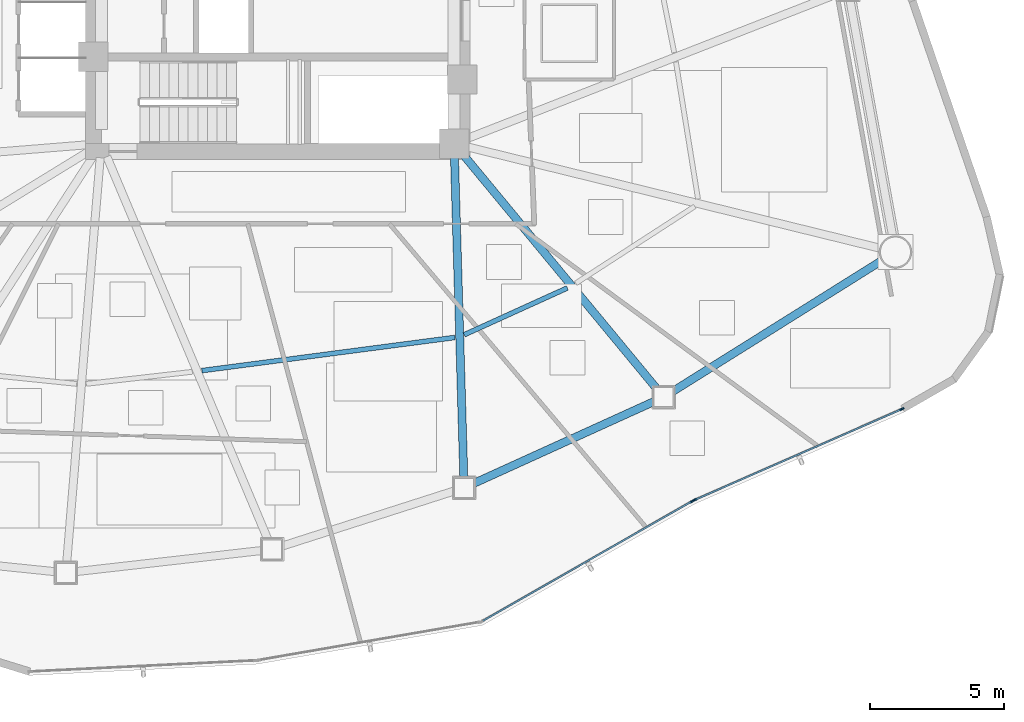
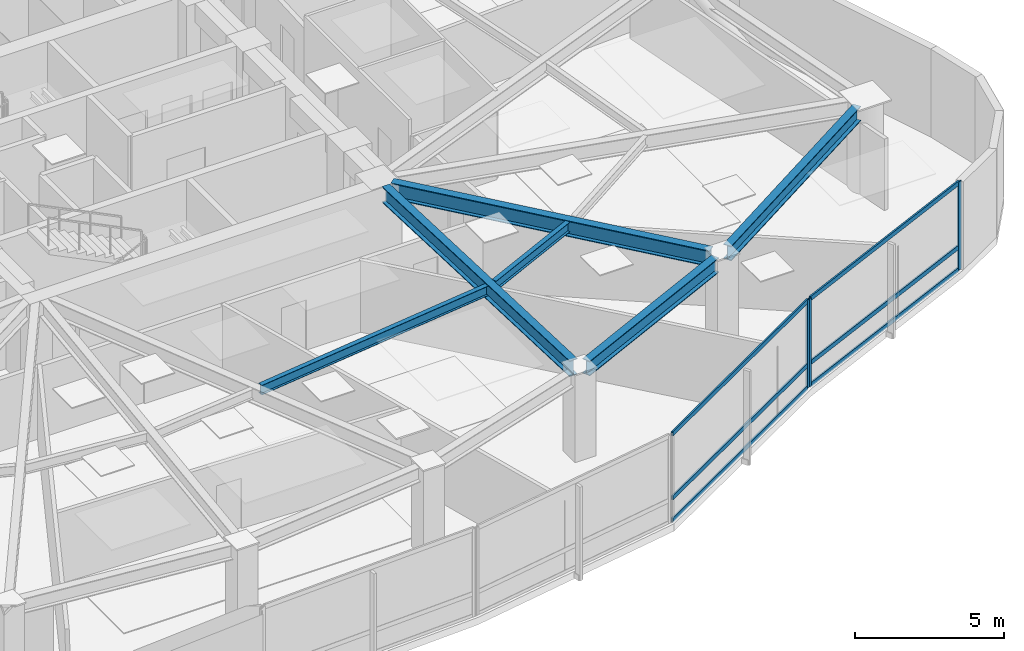
# One storey, part 6 of 18: 9 members, 6 beams, 2 elements without a shape of their own.
"""IFC4 building model written with IfcOpenShell, lengths in metres."""

from ifc_helpers import new_model, si_unit, direction, frame, origin, origin_2d, place, context, subcontext, project, spatial, hollow_rectangle, i_section, extrude, source, transform, mapped, material, layer, layer_set, material_profile, profile_set, type_object, type_shapes, element, aggregate, save


model = new_model("IFC4")

# Units and contexts
model_context = context("Model", 3, precision=1e-05, world=origin(), true_north=direction((0.0, 1.0)))
body_context = subcontext(model_context, "Body", "Model", "MODEL_VIEW")
ifc_project = project(units=[si_unit("LENGTHUNIT", "METRE"), si_unit("AREAUNIT", "SQUARE_METRE"), si_unit("VOLUMEUNIT", "CUBIC_METRE"), si_unit("PLANEANGLEUNIT", "RADIAN"), si_unit("MASSUNIT", "GRAM", prefix="KILO")], contexts=[model_context])

# Site, building, storey
site_placement = place(None, origin())
site = spatial("IfcSite", under=ifc_project, at=site_placement, CompositionType="ELEMENT")
building_placement = place(site_placement, origin())
building = spatial("IfcBuilding", under=site, at=building_placement, Name="Tavelor Broadcast Tower", CompositionType="ELEMENT")
storey_placement = place(building_placement, frame((0.0, 0.0, 51.0)))
storey = spatial("IfcBuildingStorey", under=building, at=storey_placement, Name="L11", CompositionType="ELEMENT", Elevation=51.0)

# Beams
ifc_material_1 = material(Name="Steel S355", Category="steel")
ifc_material_profile_1 = material_profile(ifc_material_1, i_section(OverallWidth=0.179931640625, OverallDepth=0.39990234375, WebThickness=0.008544921875, FlangeThickness=0.013427734375, at=origin_2d()), Name="IPE 400")
ifc_profile_set_1 = profile_set([ifc_material_profile_1], Name="Steel S355")
beam_type_1 = type_object("IfcBeamType", Name="Composite Floor Joist T1 IPE 400", PredefinedType="JOIST", material=ifc_profile_set_1)
beam_1_placement = place(storey_placement, frame((47.16259765625, 30.3056640625, 3.39990234375), z_axis=(0.991514230948, 0.129998191635, 0.0), x_axis=(-0.129998191635, 0.991514230948, 0.0)))
element("IfcBeam", 1, at=beam_1_placement, inside=storey, type_object=beam_type_1, Name="L11 Secondary Composite Floor Joist 10", PredefinedType="JOIST", context=body_context, shape_type="SweptSolid", body=[
    extrude(i_section(OverallWidth=0.179931640625, OverallDepth=0.39990234375, WebThickness=0.008544921875, FlangeThickness=0.013427734375, at=origin_2d()), origin(), (0.0, 0.0, 1.0), 9.5498046875),
])
beam_2_placement = place(storey_placement, frame((56.9755859375, 31.6455078125, 3.39990234375), z_axis=(0.910480737696, 0.413551479607, 0.0), x_axis=(-0.413551479607, 0.910480737696, 0.0)))
element("IfcBeam", 2, at=beam_2_placement, inside=storey, type_object=beam_type_1, Name="L11 Secondary Composite Floor Joist 11", PredefinedType="JOIST", context=body_context, shape_type="SweptSolid", body=[
    extrude(i_section(OverallWidth=0.179931640625, OverallDepth=0.39990234375, WebThickness=0.008544921875, FlangeThickness=0.013427734375, at=origin_2d()), origin(), (0.0, 0.0, 1.0), 4.242919921875),
])
ifc_material_profile_2 = material_profile(ifc_material_1, i_section(OverallWidth=0.300048828125, OverallDepth=0.60009765625, WebThickness=0.015380859375, FlangeThickness=0.030029296875, at=origin_2d()), Name="HEB 600")
ifc_profile_set_2 = profile_set([ifc_material_profile_2], Name="Steel S355")
beam_type_2 = type_object("IfcBeamType", Name="Perimeter Spandrel Beam T1 HEB 600", PredefinedType="SPANDREL", material=ifc_profile_set_2)
beam_3_placement = place(storey_placement, frame((57.324951171875, 26.080322265625, 3.300048828125), z_axis=(0.910424944341, 0.413674293039, 0.0), x_axis=(-0.413674293039, 0.910424944341, 0.0)))
element("IfcBeam", 3, at=beam_3_placement, inside=storey, type_object=beam_type_2, Name="L11 Framed-Tube Ring Spandrel 11", PredefinedType="SPANDREL", context=body_context, shape_type="SweptSolid", body=[
    extrude(i_section(OverallWidth=0.300048828125, OverallDepth=0.60009765625, WebThickness=0.015380859375, FlangeThickness=0.030029296875, at=origin_2d()), origin(), (0.0, 0.0, 1.0), 7.43505859375),
])
beam_4_placement = place(storey_placement, frame((64.76904296875, 29.518798828125, 3.300048828125), z_axis=(0.847667977469, 0.530527096361, 0.0), x_axis=(-0.530527096361, 0.847667977469, 0.0)))
element("IfcBeam", 4, at=beam_4_placement, inside=storey, type_object=beam_type_2, Name="L11 Framed-Tube Ring Spandrel 12", PredefinedType="SPANDREL", context=body_context, shape_type="SweptSolid", body=[
    extrude(i_section(OverallWidth=0.300048828125, OverallDepth=0.60009765625, WebThickness=0.015380859375, FlangeThickness=0.030029296875, at=origin_2d()), origin(), (0.0, 0.0, 1.0), 9.263916015625),
])
ifc_material_profile_3 = material_profile(ifc_material_1, i_section(OverallWidth=0.300048828125, OverallDepth=0.64990234375, WebThickness=0.01611328125, FlangeThickness=0.031005859375, at=origin_2d()), Name="HEB 650")
ifc_profile_set_3 = profile_set([ifc_material_profile_3], Name="Steel S355")
beam_type_3 = type_object("IfcBeamType", Name="Radial Floor Girder T1 HEB 650", PredefinedType="BEAM", material=ifc_profile_set_3)
beam_5_placement = place(storey_placement, frame((56.615478515625, 38.272216796875, 3.27490234375), z_axis=(0.02912098859, -0.999575894079, 0.0), x_axis=(0.999575894079, 0.02912098859, 0.0)))
element("IfcBeam", 5, at=beam_5_placement, inside=storey, type_object=beam_type_3, Name="L11 Radial Primary Floor Girder 11", PredefinedType="BEAM", context=body_context, shape_type="SweptSolid", body=[
    extrude(i_section(OverallWidth=0.300048828125, OverallDepth=0.64990234375, WebThickness=0.01611328125, FlangeThickness=0.031005859375, at=origin_2d()), origin(), (0.0, 0.0, 1.0), 11.971923828125),
])
beam_6_placement = place(storey_placement, frame((56.9365234375, 38.39306640625, 3.27490234375), z_axis=(0.63726338108, -0.770646081632, 0.0), x_axis=(0.770646081632, 0.63726338108, 0.0)))
element("IfcBeam", 6, at=beam_6_placement, inside=storey, type_object=beam_type_3, Name="L11 Radial Primary Floor Girder 12", PredefinedType="BEAM", context=body_context, shape_type="SweptSolid", body=[
    extrude(i_section(OverallWidth=0.300048828125, OverallDepth=0.64990234375, WebThickness=0.01611328125, FlangeThickness=0.031005859375, at=origin_2d()), origin(), (0.0, 0.0, 1.0), 11.39599609375),
])

# Curtain wall, member
ifc_material_2 = material(Name="Architectural Anodized Aluminium", Category="aluminium")
ifc_layer = layer(ifc_material_2, 0.179931640625)
ifc_layer_set = layer_set([ifc_layer], Name="Architectural Anodized Aluminium")
curtain_wall_type = type_object("IfcCurtainWallType", Name="Tower Low-Zone Unitised Curtain Wall CW02", PredefinedType="NOTDEFINED", material=ifc_layer_set)
curtain_wall_1_placement = place(storey_placement, origin())
curtain_wall_1 = element("IfcCurtainWall", 7, at=curtain_wall_1_placement, inside=storey, type_object=curtain_wall_type, Name="L11 Curtain Wall CW02 Run 91", PredefinedType="NOTDEFINED")
ifc_material_profile_4 = material_profile(ifc_material_2, hollow_rectangle(XDim=0.06494140625, YDim=0.179931640625, WallThickness=0.02197265625, at=origin_2d()), Name="RHS 65x180x22")
ifc_profile_set_4 = profile_set([ifc_material_profile_4], Name="Architectural Anodized Aluminium")
member_type_1 = type_object("IfcMemberType", Name="CW02 Extruded Aluminium Mullion 65x180", PredefinedType="MULLION", material=ifc_profile_set_4)
shared_shape_1 = source(origin(), body_context, "Body", "SweptSolid", [
    extrude(hollow_rectangle(XDim=0.06494140625, YDim=0.179931640625, WallThickness=0.02197265625, at=origin_2d()), origin(), (0.0, 0.0, 1.0), 3.60009765625),
])
type_shapes(member_type_1, [shared_shape_1])
member_1_placement = place(storey_placement, frame((65.515380859375, 25.422119140625, 0.0), z_axis=(0.0, 0.0, 1.0), x_axis=(-0.496179091181, 0.868220196422, 0.0)))
member_1 = element("IfcMember", 8, at=member_1_placement, type_object=member_type_1, Name="CW02 mullion 2", PredefinedType="MULLION", context=body_context, shape_type="MappedRepresentation", body=[
    mapped(shared_shape_1, transform((0.0, 0.0, 0.0), scale=1.0)),
])

# Curtain wall, members
curtain_wall_2_placement = place(storey_placement, origin())
curtain_wall_2 = element("IfcCurtainWall", 9, at=curtain_wall_2_placement, inside=storey, type_object=curtain_wall_type, Name="L11 Curtain Wall CW02 Run 92", PredefinedType="NOTDEFINED")
member_2_placement = place(storey_placement, frame((65.599853515625, 25.46484375, 0.0), z_axis=(0.0, 0.0, 1.0), x_axis=(-0.401566682059, 0.915829787603, 0.0)))
member_2 = element("IfcMember", 10, at=member_2_placement, type_object=member_type_1, Name="CW02 mullion 1", PredefinedType="MULLION", context=body_context, shape_type="MappedRepresentation", body=[
    mapped(shared_shape_1, transform((0.0, 0.0, 0.0), scale=1.0)),
])
member_3_placement = place(storey_placement, frame((73.357421875, 28.8662109375, 0.0), z_axis=(0.0, 0.0, 1.0), x_axis=(-0.401566682059, 0.915829787603, 0.0)))
member_3 = element("IfcMember", 11, at=member_3_placement, type_object=member_type_1, Name="CW02 mullion 2", PredefinedType="MULLION", context=body_context, shape_type="MappedRepresentation", body=[
    mapped(shared_shape_1, transform((0.0, 0.0, 0.0), scale=1.0)),
])

# Member
ifc_material_profile_5 = material_profile(ifc_material_2, hollow_rectangle(XDim=0.06494140625, YDim=0.179931640625, WallThickness=0.02197265625, at=origin_2d()), Name="RHS 65x180x22")
ifc_profile_set_5 = profile_set([ifc_material_profile_5], Name="Architectural Anodized Aluminium")
member_type_2 = type_object("IfcMemberType", Name="CW02 Extruded Aluminium Transom 65x180", PredefinedType="USERDEFINED", material=ifc_profile_set_5)
shared_shape_2 = source(origin(), body_context, "Body", "SweptSolid", [
    extrude(hollow_rectangle(XDim=0.06494140625, YDim=0.179931640625, WallThickness=0.02197265625, at=origin_2d()), origin(), (0.0, 0.0, 1.0), 8.989013671875),
])
member_4_placement = place(storey_placement, frame((57.6826171875, 20.946044921875, 0.032470703125), z_axis=(0.868229770639, 0.496162337724, 0.0), x_axis=(-0.496162337724, 0.868229770639, 0.0)))
member_4 = element("IfcMember", 12, at=member_4_placement, type_object=member_type_2, Name="CW02 transom 1.1", ObjectType="TRANSOM", PredefinedType="USERDEFINED", context=body_context, shape_type="MappedRepresentation", body=[
    mapped(shared_shape_2, transform((0.0, 0.0, 0.0), scale=1.0)),
])

member_5_placement = place(storey_placement, frame((57.6826171875, 20.946044921875, 0.949951171875), z_axis=(0.868229770639, 0.496162337724, 0.0), x_axis=(-0.496162337724, 0.868229770639, 0.0)))
member_5 = element("IfcMember", 13, at=member_5_placement, type_object=member_type_2, Name="CW02 transom 1.2", ObjectType="TRANSOM", PredefinedType="USERDEFINED", context=body_context, shape_type="MappedRepresentation", body=[
    mapped(shared_shape_2, transform((0.0, 0.0, 0.0), scale=1.0)),
])

member_6_placement = place(storey_placement, frame((57.6826171875, 20.946044921875, 3.5673828125), z_axis=(0.868229770639, 0.496162337724, 0.0), x_axis=(-0.496162337724, 0.868229770639, 0.0)))
member_6 = element("IfcMember", 14, at=member_6_placement, type_object=member_type_2, Name="CW02 transom 1.3", ObjectType="TRANSOM", PredefinedType="USERDEFINED", context=body_context, shape_type="MappedRepresentation", body=[
    mapped(shared_shape_2, transform((0.0, 0.0, 0.0), scale=1.0)),
])

aggregate(curtain_wall_1, [member_1, member_4, member_5, member_6])

shared_shape_3 = source(origin(), body_context, "Body", "SweptSolid", [
    extrude(hollow_rectangle(XDim=0.06494140625, YDim=0.179931640625, WallThickness=0.02197265625, at=origin_2d()), origin(), (0.0, 0.0, 1.0), 8.405517578125),
])
type_shapes(member_type_2, [shared_shape_2, shared_shape_3])
member_7_placement = place(storey_placement, frame((65.629638671875, 25.477783203125, 0.032470703125), z_axis=(0.915824380381, 0.401579013769, 0.0), x_axis=(-0.401579013769, 0.915824380381, 0.0)))
member_7 = element("IfcMember", 15, at=member_7_placement, type_object=member_type_2, Name="CW02 transom 1.1", ObjectType="TRANSOM", PredefinedType="USERDEFINED", context=body_context, shape_type="MappedRepresentation", body=[
    mapped(shared_shape_3, transform((0.0, 0.0, 0.0), scale=1.0)),
])

member_8_placement = place(storey_placement, frame((65.629638671875, 25.477783203125, 0.949951171875), z_axis=(0.915824380381, 0.401579013769, 0.0), x_axis=(-0.401579013769, 0.915824380381, 0.0)))
member_8 = element("IfcMember", 16, at=member_8_placement, type_object=member_type_2, Name="CW02 transom 1.2", ObjectType="TRANSOM", PredefinedType="USERDEFINED", context=body_context, shape_type="MappedRepresentation", body=[
    mapped(shared_shape_3, transform((0.0, 0.0, 0.0), scale=1.0)),
])

member_9_placement = place(storey_placement, frame((65.629638671875, 25.477783203125, 3.5673828125), z_axis=(0.915824380381, 0.401579013769, 0.0), x_axis=(-0.401579013769, 0.915824380381, 0.0)))
member_9 = element("IfcMember", 17, at=member_9_placement, type_object=member_type_2, Name="CW02 transom 1.3", ObjectType="TRANSOM", PredefinedType="USERDEFINED", context=body_context, shape_type="MappedRepresentation", body=[
    mapped(shared_shape_3, transform((0.0, 0.0, 0.0), scale=1.0)),
])

aggregate(curtain_wall_2, [member_2, member_3, member_7, member_8, member_9])

save(model, "model.ifc")
